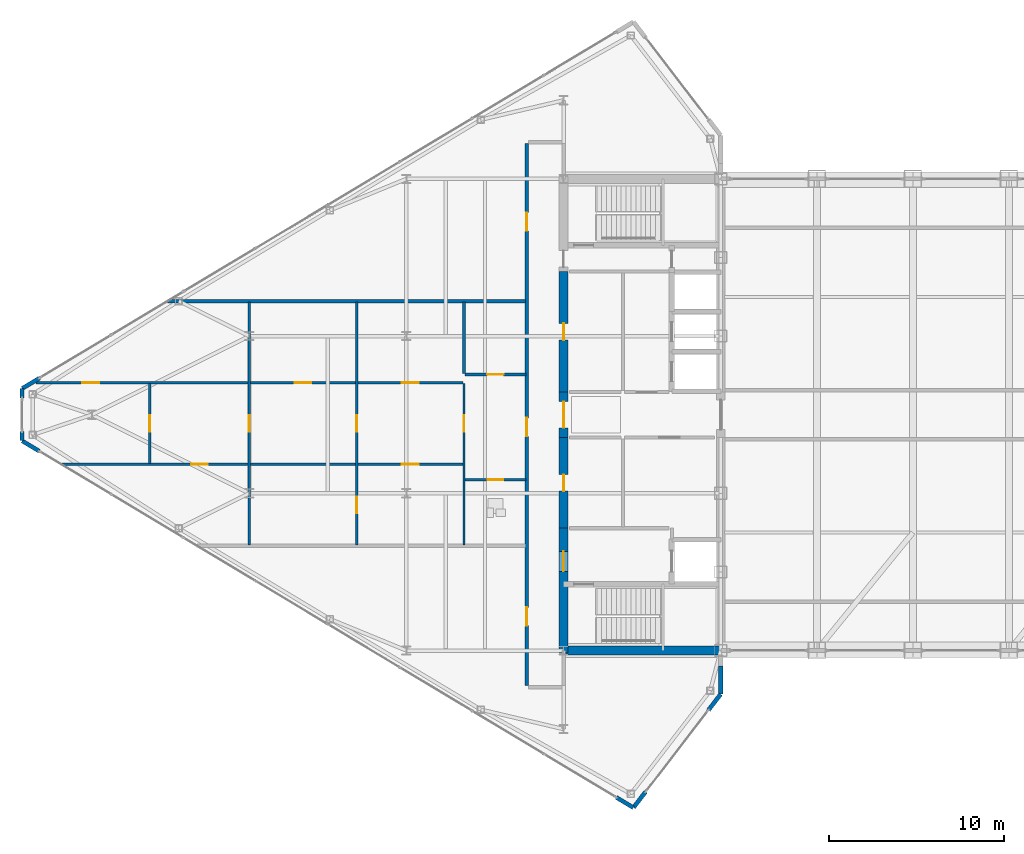
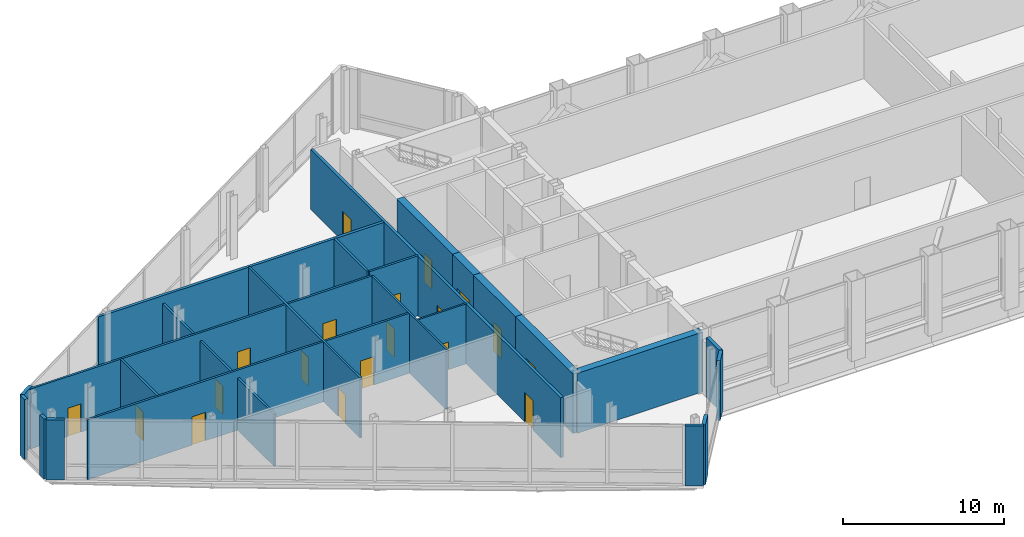
# One storey, part 22 of 29: 24 walls, 19 doors, 19 openings.
"""IFC4 building model written with IfcOpenShell, lengths in metres."""

import ifcopenshell
import ifcopenshell.guid

model = None  # the IFC model being written
_history = None  # IfcOwnerHistory: only IFC2X3 demands one
_inside = {}  # id of a spatial element -> (the spatial element, [elements in it])
_under = {}  # id of a project, library or spatial element -> (it, [spatial elements below it])
_declared = {}  # id of a project -> (the project, [libraries it declares])
_typed = {}  # id of a type object -> (the type object, [elements of that type])
_made_of = {}  # id of a material, layer set ... -> (it, [elements and type objects made of it])


def new_model(schema):
    """Start an empty IFC model of exactly this schema.

    Asked for "IFC4X3", IfcOpenShell would pick the latest addendum, in which some entities
    have other attributes; the version numbers below select the first issue.
    IFC2X3 requires an IfcOwnerHistory on every rooted entity: one is made here for all.
    """
    global model, _history
    if schema == "IFC4X3":
        model = ifcopenshell.file(schema_version=(4, 3, 0, 0))
    else:
        model = ifcopenshell.file(schema=schema)
    _inside.clear()
    _under.clear()
    _declared.clear()
    _typed.clear()
    _made_of.clear()
    _history = None
    if model.schema == "IFC2X3":
        org = make("IfcOrganization", Name="unknown")
        user = make(
            "IfcPersonAndOrganization",
            ThePerson=make("IfcPerson", FamilyName="unknown"),
            TheOrganization=org,
        )
        app = make(
            "IfcApplication",
            ApplicationDeveloper=org,
            Version="unknown",
            ApplicationFullName="unknown",
            ApplicationIdentifier="unknown",
        )
        _history = make(
            "IfcOwnerHistory",
            OwningUser=user,
            OwningApplication=app,
            ChangeAction="ADDED",
            CreationDate=0,
        )
    return model


def make(cls, **values):
    """One entity of the class cls with the attributes given. An attribute that is None is left unset."""
    return model.create_entity(
        cls, **{name: value for name, value in values.items() if value is not None}
    )


def rooted(cls, **values):
    """An entity with a GlobalId (a new one), such as an element, a storey or a relation."""
    return make(cls, GlobalId=ifcopenshell.guid.new(), OwnerHistory=_history, **values)


def si_unit(unit_type, name, prefix=None):
    """IfcSIUnit, for example si_unit("LENGTHUNIT", "METRE", prefix="MILLI")."""
    return make("IfcSIUnit", UnitType=unit_type, Prefix=prefix, Name=name)


def assignment(units):
    """IfcUnitAssignment: the units of a project."""
    return None if units is None else make("IfcUnitAssignment", Units=units)


def point(xyz):
    """IfcCartesianPoint."""
    return None if xyz is None else make("IfcCartesianPoint", Coordinates=xyz)


def direction(xyz):
    """IfcDirection."""
    return None if xyz is None else make("IfcDirection", DirectionRatios=xyz)


def frame(location, z_axis=None, x_axis=None):
    """IfcAxis2Placement3D, a coordinate frame: its origin and axes. An axis left out is left unset."""
    return make(
        "IfcAxis2Placement3D",
        Location=point(location),
        Axis=direction(z_axis),
        RefDirection=direction(x_axis),
    )


def frame_2d(location, x_axis=None):
    """IfcAxis2Placement2D, a coordinate frame in the plane: its origin and x axis."""
    return make(
        "IfcAxis2Placement2D", Location=point(location), RefDirection=direction(x_axis)
    )


def origin():
    """The frame at (0, 0, 0) with its axes left unset."""
    return frame((0.0, 0.0, 0.0))


def place(relative_to, where):
    """IfcLocalPlacement: puts the frame where relative to a parent placement (None: the world)."""
    return make(
        "IfcLocalPlacement", PlacementRelTo=relative_to, RelativePlacement=where
    )


def context(
    kind, dimensions, precision=None, world=None, true_north=None, identifier=None
):
    """IfcGeometricRepresentationContext, for example the 3D "Model" context."""
    return make(
        "IfcGeometricRepresentationContext",
        ContextIdentifier=identifier,
        ContextType=kind,
        CoordinateSpaceDimension=dimensions,
        Precision=precision,
        WorldCoordinateSystem=world,
        TrueNorth=true_north,
    )


def subcontext(parent, identifier, kind, view, scale=None):
    """IfcGeometricRepresentationSubContext, for example "Body" below "Model"."""
    return make(
        "IfcGeometricRepresentationSubContext",
        ContextIdentifier=identifier,
        ContextType=kind,
        ParentContext=parent,
        TargetScale=scale,
        TargetView=view,
    )


def project(units=None, contexts=None):
    """IfcProject with its units and contexts."""
    return rooted(
        "IfcProject",
        Name="project",
        RepresentationContexts=contexts,
        UnitsInContext=assignment(units),
    )


def spatial(cls, under=None, at=None, **own):
    """A site, building, storey or space (cls), placed at a placement, below another one or the project."""
    s = rooted(cls, ObjectPlacement=at, **own)
    if under is not None:
        _under.setdefault(under.id(), (under, []))[1].append(s)
    return s


def profile(cls, at=None, kind="AREA", **sizes):
    """A parametric profile (cls). Its sizes go by their IFC names, for example OverallWidth=200.0."""
    return make(cls, ProfileType=kind, Position=at, **sizes)


def rectangle(**sizes):
    """IfcRectangleProfileDef."""
    return profile("IfcRectangleProfileDef", **sizes)


def extrude(swept, where, along, depth):
    """IfcExtrudedAreaSolid: the profile swept, set in the frame where, extruded along a direction by depth."""
    return make(
        "IfcExtrudedAreaSolid",
        SweptArea=swept,
        Position=where,
        ExtrudedDirection=direction(along),
        Depth=depth,
    )


def shape(context_of_items, identifier, shape_type, items):
    """IfcShapeRepresentation: the items that make up one representation, for example the "Body"."""
    return make(
        "IfcShapeRepresentation",
        ContextOfItems=context_of_items,
        RepresentationIdentifier=identifier,
        RepresentationType=shape_type,
        Items=items,
    )


def source(mapping_origin, context_of_items, identifier, shape_type, items):
    """IfcRepresentationMap: a shape defined once, which mapped items show again and again."""
    return make(
        "IfcRepresentationMap",
        MappingOrigin=mapping_origin,
        MappedRepresentation=shape(context_of_items, identifier, shape_type, items),
    )


def transform(
    local_origin,
    x_axis=None,
    y_axis=None,
    z_axis=None,
    scale=None,
    scale2=None,
    scale3=None,
    uniform=True,
):
    """IfcCartesianTransformationOperator3D, or its non-uniform kind. x_axis, y_axis, z_axis: its Axis1, 2, 3."""
    if uniform:
        return make(
            "IfcCartesianTransformationOperator3D",
            Axis1=direction(x_axis),
            Axis2=direction(y_axis),
            LocalOrigin=point(local_origin),
            Scale=scale,
            Axis3=direction(z_axis),
        )
    return make(
        "IfcCartesianTransformationOperator3DnonUniform",
        Axis1=direction(x_axis),
        Axis2=direction(y_axis),
        LocalOrigin=point(local_origin),
        Scale=scale,
        Axis3=direction(z_axis),
        Scale2=scale2,
        Scale3=scale3,
    )


def mapped(mapping_source, mapping_target):
    """IfcMappedItem: shows the shape of a source again, moved by a transform."""
    return make(
        "IfcMappedItem", MappingSource=mapping_source, MappingTarget=mapping_target
    )


def material(Name=None, Category=None):
    """IfcMaterial."""
    return make("IfcMaterial", Name=Name, Category=Category)


def layer(
    of_material, thickness, ventilated=None, Name=None, Category=None, Priority=None
):
    """IfcMaterialLayer: one layer of a wall or slab, of a material (None: an air gap)."""
    return make(
        "IfcMaterialLayer",
        Material=of_material,
        LayerThickness=thickness,
        IsVentilated=ventilated,
        Name=Name,
        Category=Category,
        Priority=Priority,
    )


def layer_set(layers, Name=None):
    """IfcMaterialLayerSet."""
    return make("IfcMaterialLayerSet", MaterialLayers=layers, LayerSetName=Name)


def made_of(thing, what):
    """Note that an element or type object is made of a material, layer set ...; save() writes the relation."""
    if what is not None:
        _made_of.setdefault(what.id(), (what, []))[1].append(thing)
    return thing


def type_object(cls, material=None, **own):
    """A type object (cls), such as IfcWallType, which elements share."""
    return made_of(rooted(cls, **own), material)


def type_shapes(of_type, sources):
    """Give a type object the sources (RepresentationMaps) that its elements show as mapped items."""
    of_type.RepresentationMaps = sources


def element(
    cls,
    number,
    at=None,
    inside=None,
    cuts=None,
    type_object=None,
    material=None,
    context=None,
    identifier="Body",
    shape_type=None,
    held_by="IfcProductDefinitionShape",
    body=None,
    shapes=None,
    **own,
):
    """One element of the class cls, such as IfcWall. Its Tag is "e" and its number.

    at: its placement. inside: the storey or other place that contains it. cuts: it is an
    opening in that element (IfcRelVoidsElement). A single representation is given by context,
    identifier, shape_type and body (its items); several are given by shapes. held_by: the class
    of the entity that holds the representations. save() writes the other relations.
    """
    e = rooted(cls, Tag="e%d" % number, ObjectPlacement=at, **own)
    if body is not None:
        shapes = [shape(context, identifier, shape_type, body)]
    if shapes is not None:
        e.Representation = make(held_by, Representations=shapes)
    if inside is not None:
        _inside.setdefault(inside.id(), (inside, []))[1].append(e)
    if cuts is not None:
        rooted(
            "IfcRelVoidsElement", RelatingBuildingElement=cuts, RelatedOpeningElement=e
        )
    if type_object is not None:
        _typed.setdefault(type_object.id(), (type_object, []))[1].append(e)
    return made_of(e, material)


def fill(opening, filler):
    """IfcRelFillsElement: the door or window that sits in an opening."""
    return rooted(
        "IfcRelFillsElement",
        RelatingOpeningElement=opening,
        RelatedBuildingElement=filler,
    )


def aggregate(whole, parts):
    """IfcRelAggregates: a whole, such as a stair, and the parts it consists of."""
    return rooted("IfcRelAggregates", RelatingObject=whole, RelatedObjects=parts)


def save(model, path):
    """Write the relations noted so far, then the file.

    IfcRelAggregates (storeys below a building ...), IfcRelContainedInSpatialStructure (elements
    in a storey), IfcRelDefinesByType, IfcRelAssociatesMaterial and IfcRelDeclares: one each for
    every whole, place, type object, material and project.
    """
    for whole, parts in _under.values():
        aggregate(whole, parts)
    for where, things in _inside.values():
        rooted(
            "IfcRelContainedInSpatialStructure",
            RelatedElements=things,
            RelatingStructure=where,
        )
    for kind, things in _typed.values():
        rooted("IfcRelDefinesByType", RelatedObjects=things, RelatingType=kind)
    for what, things in _made_of.values():
        rooted("IfcRelAssociatesMaterial", RelatedObjects=things, RelatingMaterial=what)
    for by, libraries in _declared.values():
        rooted("IfcRelDeclares", RelatingContext=by, RelatedDefinitions=libraries)
    model.write(path)


model = new_model("IFC4")

# Units and contexts
model_context = context("Model", 3, precision=1e-05, world=origin(), true_north=direction((0.0, 1.0)))
body_context = subcontext(model_context, "Body", "Model", "MODEL_VIEW")
ifc_project = project(units=[si_unit("LENGTHUNIT", "METRE"), si_unit("AREAUNIT", "SQUARE_METRE"), si_unit("VOLUMEUNIT", "CUBIC_METRE"), si_unit("PLANEANGLEUNIT", "RADIAN"), si_unit("MASSUNIT", "GRAM", prefix="KILO")], contexts=[model_context])

# Site, building, storey
site_placement = place(None, origin())
site = spatial("IfcSite", under=ifc_project, at=site_placement, CompositionType="ELEMENT")
building_placement = place(site_placement, origin())
building = spatial("IfcBuilding", under=site, at=building_placement, Name="Seokmaru Belvedere", CompositionType="ELEMENT")
storey_placement = place(building_placement, frame((0.0, 0.0, 229.800048828125)))
storey = spatial("IfcBuildingStorey", under=building, at=storey_placement, Name="L61", CompositionType="ELEMENT", Elevation=229.800048828125)

# Wall, openings, doors
ifc_material_1 = material(Name="Fire-Rated Gypsum Shaftwall")
ifc_layer_1 = layer(ifc_material_1, 0.14990234375)
ifc_layer_set_1 = layer_set([ifc_layer_1], Name="Fire-Rated Gypsum Shaftwall")
wall_type_1 = type_object("IfcWallType", Name="Apartment Fire-Acoustic Room Partition 150", PredefinedType="PARTITIONING", material=ifc_layer_set_1)
wall_1_placement = place(storey_placement, frame((-65.31298828125, -2.830078125, 0.0), z_axis=(0.0, 0.0, 1.0), x_axis=(1.0, 0.0, 0.0)))
wall_1 = element("IfcWall", 1, at=wall_1_placement, inside=storey, type_object=wall_type_1, Name="L61 Interior Partition 006", PredefinedType="PARTITIONING", context=body_context, shape_type="SweptSolid", body=[
    extrude(rectangle(XDim=23.06298828125, YDim=0.14990234375, at=frame_2d((11.531494140625, 0.0))), origin(), (0.0, 0.0, 1.0), 4.5400390625),
])
opening_1_placement = place(wall_1_placement, frame((19.56298828125, 0.0, 0.0)))
opening_1 = element("IfcOpeningElement", 2, at=opening_1_placement, cuts=wall_1, Name="Opening D05", PredefinedType="OPENING", context=body_context, shape_type="SweptSolid", body=[
    extrude(rectangle(XDim=0.949951171875, YDim=2.14990234375, at=frame_2d((0.47509765625, 1.074951171875))), frame((0.0, 0.0849609375, 0.0), z_axis=(0.0, -1.0, 0.0), x_axis=(1.0, 0.0, 0.0)), (0.0, 0.0, 1.0), 0.169921875),
])
opening_2_placement = place(wall_1_placement, frame((7.488037109375, 0.0, 0.0)))
opening_2 = element("IfcOpeningElement", 3, at=opening_2_placement, cuts=wall_1, Name="Opening D05", PredefinedType="OPENING", context=body_context, shape_type="SweptSolid", body=[
    extrude(rectangle(XDim=0.949951171875, YDim=2.14990234375, at=frame_2d((0.47509765625, 1.074951171875))), frame((0.0, 0.0849609375, 0.0), z_axis=(0.0, -1.0, 0.0), x_axis=(1.0, 0.0, 0.0)), (0.0, 0.0, 1.0), 0.169921875),
])
ifc_material_2 = material(Name="Engineered White Oak Timber", Category="wood")
door_type_1 = type_object("IfcDoorType", Name="Apartment Interior Fire-Rated Oak Door 950x2150", OperationType="NOTDEFINED", PredefinedType="DOOR", material=ifc_material_2)
shared_shape_1 = source(origin(), body_context, "Body", "SweptSolid", [
    extrude(rectangle(XDim=0.949951171875, YDim=2.14990234375, at=frame_2d((0.47509765625, 1.074951171875))), frame((0.0, 0.02490234375, 0.0), z_axis=(0.0, -1.0, 0.0), x_axis=(1.0, 0.0, 0.0)), (0.0, 0.0, 1.0), 0.050048828125),
])
type_shapes(door_type_1, [shared_shape_1])
door_1_placement = place(opening_1_placement, origin())
door_1 = element("IfcDoor", 4, at=door_1_placement, inside=storey, type_object=door_type_1, Name="L61 Interior Door 006", OperationType="SINGLE_SWING_LEFT", OverallHeight=2.14990234375, OverallWidth=0.949951171875, PredefinedType="DOOR", context=body_context, shape_type="MappedRepresentation", body=[
    mapped(shared_shape_1, transform((0.0, 0.0, 0.0), scale=1.0)),
])
fill(opening_1, door_1)
door_2_placement = place(opening_2_placement, origin())
door_2 = element("IfcDoor", 5, at=door_2_placement, inside=storey, type_object=door_type_1, Name="L61 Interior Door 010", OperationType="SINGLE_SWING_LEFT", OverallHeight=2.14990234375, OverallWidth=0.949951171875, PredefinedType="DOOR", context=body_context, shape_type="MappedRepresentation", body=[
    mapped(shared_shape_1, transform((0.0, 0.0, 0.0), scale=1.0)),
])
fill(opening_2, door_2)

wall_2_placement = place(storey_placement, frame((-66.70703125, 1.830078125, 0.0), z_axis=(0.0, 0.0, 1.0), x_axis=(1.0, 0.0, 0.0)))
wall_2 = element("IfcWall", 6, at=wall_2_placement, inside=storey, type_object=wall_type_1, Name="L61 Interior Partition 010", PredefinedType="PARTITIONING", context=body_context, shape_type="SweptSolid", body=[
    extrude(rectangle(XDim=24.45703125, YDim=0.14990234375, at=frame_2d((12.228515625, 0.0))), origin(), (0.0, 0.0, 1.0), 4.5400390625),
])
opening_3_placement = place(wall_2_placement, frame((20.95703125, 0.0, 0.0)))
opening_3 = element("IfcOpeningElement", 7, at=opening_3_placement, cuts=wall_2, Name="Opening D05", PredefinedType="OPENING", context=body_context, shape_type="SweptSolid", body=[
    extrude(rectangle(XDim=0.949951171875, YDim=2.14990234375, at=frame_2d((0.47509765625, 1.074951171875))), frame((0.0, 0.0849609375, 0.0), z_axis=(0.0, -1.0, 0.0), x_axis=(1.0, 0.0, 0.0)), (0.0, 0.0, 1.0), 0.169921875),
])
opening_4_placement = place(wall_2_placement, frame((2.659912109375, 0.0, 0.0)))
opening_4 = element("IfcOpeningElement", 8, at=opening_4_placement, cuts=wall_2, Name="Opening D05", PredefinedType="OPENING", context=body_context, shape_type="SweptSolid", body=[
    extrude(rectangle(XDim=0.949951171875, YDim=2.14990234375, at=frame_2d((0.47509765625, 1.074951171875))), frame((0.0, 0.0849609375, 0.0), z_axis=(0.0, -1.0, 0.0), x_axis=(1.0, 0.0, 0.0)), (0.0, 0.0, 1.0), 0.169921875),
])
opening_5_placement = place(wall_2_placement, frame((14.80712890625, 0.0, 0.0)))
opening_5 = element("IfcOpeningElement", 9, at=opening_5_placement, cuts=wall_2, Name="Opening D05", PredefinedType="OPENING", context=body_context, shape_type="SweptSolid", body=[
    extrude(rectangle(XDim=0.949951171875, YDim=2.14990234375, at=frame_2d((0.47509765625, 1.074951171875))), frame((0.0, 0.0849609375, 0.0), z_axis=(0.0, -1.0, 0.0), x_axis=(1.0, 0.0, 0.0)), (0.0, 0.0, 1.0), 0.169921875),
])
door_3_placement = place(opening_3_placement, origin())
door_3 = element("IfcDoor", 10, at=door_3_placement, inside=storey, type_object=door_type_1, Name="L61 Interior Door 008", OperationType="SINGLE_SWING_RIGHT", OverallHeight=2.14990234375, OverallWidth=0.949951171875, PredefinedType="DOOR", context=body_context, shape_type="MappedRepresentation", body=[
    mapped(shared_shape_1, transform((0.0, 0.0, 0.0), scale=1.0)),
])
fill(opening_3, door_3)
door_4_placement = place(opening_4_placement, origin())
door_4 = element("IfcDoor", 11, at=door_4_placement, inside=storey, type_object=door_type_1, Name="L61 Interior Door 012", OperationType="SINGLE_SWING_LEFT", OverallHeight=2.14990234375, OverallWidth=0.949951171875, PredefinedType="DOOR", context=body_context, shape_type="MappedRepresentation", body=[
    mapped(shared_shape_1, transform((0.0, 0.0, 0.0), scale=1.0)),
])
fill(opening_4, door_4)
door_5_placement = place(opening_5_placement, origin())
door_5 = element("IfcDoor", 12, at=door_5_placement, inside=storey, type_object=door_type_1, Name="L61 Interior Door 014", OperationType="SINGLE_SWING_RIGHT", OverallHeight=2.14990234375, OverallWidth=0.949951171875, PredefinedType="DOOR", context=body_context, shape_type="MappedRepresentation", body=[
    mapped(shared_shape_1, transform((0.0, 0.0, 0.0), scale=1.0)),
])
fill(opening_5, door_5)

# Wall, opening, door
wall_3_placement = place(storey_placement, frame((-42.14990234375, 2.300048828125, 0.0), z_axis=(0.0, 0.0, 1.0), x_axis=(1.0, 0.0, 0.0)))
wall_3 = element("IfcWall", 13, at=wall_3_placement, inside=storey, type_object=wall_type_1, Name="L61 Interior Partition 011", PredefinedType="PARTITIONING", context=body_context, shape_type="SweptSolid", body=[
    extrude(rectangle(XDim=3.5, YDim=0.14990234375, at=frame_2d((1.75, 0.0))), origin(), (0.0, 0.0, 1.0), 4.5400390625),
])
opening_6_placement = place(wall_3_placement, frame((1.27490234375, 0.0, 0.0)))
opening_6 = element("IfcOpeningElement", 14, at=opening_6_placement, cuts=wall_3, Name="Opening D05", PredefinedType="OPENING", context=body_context, shape_type="SweptSolid", body=[
    extrude(rectangle(XDim=0.949951171875, YDim=2.14990234375, at=frame_2d((0.47509765625, 1.074951171875))), frame((0.0, 0.0849609375, 0.0), z_axis=(0.0, -1.0, 0.0), x_axis=(1.0, 0.0, 0.0)), (0.0, 0.0, 1.0), 0.169921875),
])
door_6_placement = place(opening_6_placement, origin())
door_6 = element("IfcDoor", 15, at=door_6_placement, inside=storey, type_object=door_type_1, Name="L61 Interior Door 004", OperationType="SINGLE_SWING_LEFT", OverallHeight=2.14990234375, OverallWidth=0.949951171875, PredefinedType="DOOR", context=body_context, shape_type="MappedRepresentation", body=[
    mapped(shared_shape_1, transform((0.0, 0.0, 0.0), scale=1.0)),
])
fill(opening_6, door_6)

wall_4_placement = place(storey_placement, frame((-60.199951171875, -2.782958984375, 0.0), z_axis=(0.0, 0.0, 1.0), x_axis=(0.0, 1.0, 0.0)))
wall_4 = element("IfcWall", 16, at=wall_4_placement, inside=storey, type_object=wall_type_1, Name="L61 Interior Partition 017", PredefinedType="PARTITIONING", context=body_context, shape_type="SweptSolid", body=[
    extrude(rectangle(XDim=4.56591796875, YDim=0.14990234375, at=frame_2d((2.282958984375, 0.0))), origin(), (0.0, 0.0, 1.0), 4.5400390625),
])
opening_7_placement = place(wall_4_placement, frame((1.80810546875, 0.0, 0.0)))
opening_7 = element("IfcOpeningElement", 17, at=opening_7_placement, cuts=wall_4, Name="Opening D05", PredefinedType="OPENING", context=body_context, shape_type="SweptSolid", body=[
    extrude(rectangle(XDim=0.949951171875, YDim=2.14990234375, at=frame_2d((0.47509765625, 1.074951171875))), frame((0.0, 0.0849609375, 0.0), z_axis=(0.0, -1.0, 0.0), x_axis=(1.0, 0.0, 0.0)), (0.0, 0.0, 1.0), 0.169921875),
])
door_7_placement = place(opening_7_placement, origin())
door_7 = element("IfcDoor", 18, at=door_7_placement, inside=storey, type_object=door_type_1, Name="L61 Interior Door 011", OperationType="SINGLE_SWING_RIGHT", OverallHeight=2.14990234375, OverallWidth=0.949951171875, PredefinedType="DOOR", context=body_context, shape_type="MappedRepresentation", body=[
    mapped(shared_shape_1, transform((0.0, 0.0, 0.0), scale=1.0)),
])
fill(opening_7, door_7)

wall_5_placement = place(storey_placement, frame((-54.5, -7.449951171875, 0.0), z_axis=(0.0, 0.0, 1.0), x_axis=(0.0, 1.0, 0.0)))
wall_5 = element("IfcWall", 19, at=wall_5_placement, inside=storey, type_object=wall_type_1, Name="L61 Interior Partition 018", PredefinedType="PARTITIONING", context=body_context, shape_type="SweptSolid", body=[
    extrude(rectangle(XDim=13.89990234375, YDim=0.14990234375, at=frame_2d((6.949951171875, 0.0))), origin(), (0.0, 0.0, 1.0), 3.93994140625),
])
opening_8_placement = place(wall_5_placement, frame((6.47509765625, 0.0, 0.0)))
opening_8 = element("IfcOpeningElement", 20, at=opening_8_placement, cuts=wall_5, Name="Opening D05", PredefinedType="OPENING", context=body_context, shape_type="SweptSolid", body=[
    extrude(rectangle(XDim=0.949951171875, YDim=2.14990234375, at=frame_2d((0.47509765625, 1.074951171875))), frame((0.0, 0.0849609375, 0.0), z_axis=(0.0, -1.0, 0.0), x_axis=(1.0, 0.0, 0.0)), (0.0, 0.0, 1.0), 0.169921875),
])
door_8_placement = place(opening_8_placement, origin())
door_8 = element("IfcDoor", 21, at=door_8_placement, inside=storey, type_object=door_type_1, Name="L61 Interior Door 009", OperationType="SINGLE_SWING_LEFT", OverallHeight=2.14990234375, OverallWidth=0.949951171875, PredefinedType="DOOR", context=body_context, shape_type="MappedRepresentation", body=[
    mapped(shared_shape_1, transform((0.0, 0.0, 0.0), scale=1.0)),
])
fill(opening_8, door_8)

# Wall, openings, doors
wall_6_placement = place(storey_placement, frame((-48.35009765625, -7.449951171875, 0.0), z_axis=(0.0, 0.0, 1.0), x_axis=(0.0, 1.0, 0.0)))
wall_6 = element("IfcWall", 22, at=wall_6_placement, inside=storey, type_object=wall_type_1, Name="L61 Interior Partition 019", PredefinedType="PARTITIONING", context=body_context, shape_type="SweptSolid", body=[
    extrude(rectangle(XDim=13.89990234375, YDim=0.14990234375, at=frame_2d((6.949951171875, 0.0))), origin(), (0.0, 0.0, 1.0), 4.5400390625),
])
opening_9_placement = place(wall_6_placement, frame((6.47509765625, 0.0, 0.0)))
opening_9 = element("IfcOpeningElement", 23, at=opening_9_placement, cuts=wall_6, Name="Opening D05", PredefinedType="OPENING", context=body_context, shape_type="SweptSolid", body=[
    extrude(rectangle(XDim=0.949951171875, YDim=2.14990234375, at=frame_2d((0.47509765625, 1.074951171875))), frame((0.0, 0.0849609375, 0.0), z_axis=(0.0, -1.0, 0.0), x_axis=(1.0, 0.0, 0.0)), (0.0, 0.0, 1.0), 0.169921875),
])
opening_10_placement = place(wall_6_placement, frame((1.808349609375, 0.0, 0.0)))
opening_10 = element("IfcOpeningElement", 24, at=opening_10_placement, cuts=wall_6, Name="Opening D05", PredefinedType="OPENING", context=body_context, shape_type="SweptSolid", body=[
    extrude(rectangle(XDim=0.949951171875, YDim=2.14990234375, at=frame_2d((0.47509765625, 1.074951171875))), frame((0.0, 0.0849609375, 0.0), z_axis=(0.0, -1.0, 0.0), x_axis=(1.0, 0.0, 0.0)), (0.0, 0.0, 1.0), 0.169921875),
])
door_9_placement = place(opening_9_placement, origin())
door_9 = element("IfcDoor", 25, at=door_9_placement, inside=storey, type_object=door_type_1, Name="L61 Interior Door 007", OperationType="SINGLE_SWING_RIGHT", OverallHeight=2.14990234375, OverallWidth=0.949951171875, PredefinedType="DOOR", context=body_context, shape_type="MappedRepresentation", body=[
    mapped(shared_shape_1, transform((0.0, 0.0, 0.0), scale=1.0)),
])
fill(opening_9, door_9)
door_10_placement = place(opening_10_placement, origin())
door_10 = element("IfcDoor", 26, at=door_10_placement, inside=storey, type_object=door_type_1, Name="L61 Interior Door 013", OperationType="SINGLE_SWING_RIGHT", OverallHeight=2.14990234375, OverallWidth=0.949951171875, PredefinedType="DOOR", context=body_context, shape_type="MappedRepresentation", body=[
    mapped(shared_shape_1, transform((0.0, 0.0, 0.0), scale=1.0)),
])
fill(opening_10, door_10)

# Walls
wall_7_placement = place(storey_placement, frame((-42.199951171875, 2.35205078125, 0.0), z_axis=(0.0, 0.0, 1.0), x_axis=(0.0, 1.0, 0.0)))
element("IfcWall", 27, at=wall_7_placement, inside=storey, type_object=wall_type_1, Name="L61 Interior Partition 021", PredefinedType="PARTITIONING", context=body_context, shape_type="SweptSolid", body=[
    extrude(rectangle(XDim=4.097900390625, YDim=0.14990234375, at=frame_2d((2.048828125, 0.0))), origin(), (0.0, 0.0, 1.0), 4.5400390625),
])
ifc_layer_2 = layer(ifc_material_1, 0.199951171875)
ifc_layer_set_2 = layer_set([ifc_layer_2], Name="Fire-Rated Gypsum Shaftwall")
wall_type_2 = type_object("IfcWallType", Name="Inter-Tenancy Fire Compartment Partition 200", PredefinedType="PARTITIONING", material=ifc_layer_set_2)
wall_8_placement = place(storey_placement, frame((-59.176025390625, 6.5, 0.0), z_axis=(0.0, 0.0, 1.0), x_axis=(1.0, 0.0, 0.0)))
element("IfcWall", 28, at=wall_8_placement, inside=storey, type_object=wall_type_2, Name="L61 Interior Partition 013", PredefinedType="PARTITIONING", context=body_context, shape_type="SweptSolid", body=[
    extrude(rectangle(XDim=20.49609375, YDim=0.199951171875, at=frame_2d((10.248046875, 0.0))), origin(), (0.0, 0.0, 1.0), 4.5400390625),
])

# Wall, openings, doors
wall_9_placement = place(storey_placement, frame((-38.60009765625, -15.514892578125, 0.0), z_axis=(0.0, 0.0, 1.0), x_axis=(0.0, 1.0, 0.0)))
wall_9 = element("IfcWall", 29, at=wall_9_placement, inside=storey, type_object=wall_type_2, Name="L61 Interior Partition 022", PredefinedType="PARTITIONING", context=body_context, shape_type="SweptSolid", body=[
    extrude(rectangle(XDim=31.02978515625, YDim=0.199951171875, at=frame_2d((15.514892578125, 0.0))), origin(), (0.0, 0.0, 1.0), 4.5400390625),
])
opening_11_placement = place(wall_9_placement, frame((3.43994140625, 0.0, 0.0)))
opening_11 = element("IfcOpeningElement", 30, at=opening_11_placement, cuts=wall_9, Name="Opening D03", PredefinedType="OPENING", context=body_context, shape_type="SweptSolid", body=[
    extrude(rectangle(XDim=1.050048828125, YDim=2.25, at=frame_2d((0.52490234375, 1.125))), frame((0.0, 0.10986328125, 0.0), z_axis=(0.0, -1.0, 0.0), x_axis=(1.0, 0.0, 0.0)), (0.0, 0.0, 1.0), 0.219970703125),
])
opening_12_placement = place(wall_9_placement, frame((14.280029296875, 0.0, 0.0)))
opening_12 = element("IfcOpeningElement", 31, at=opening_12_placement, cuts=wall_9, Name="Opening D03", PredefinedType="OPENING", context=body_context, shape_type="SweptSolid", body=[
    extrude(rectangle(XDim=1.050048828125, YDim=2.25, at=frame_2d((0.52490234375, 1.125))), frame((0.0, 0.10986328125, 0.0), z_axis=(0.0, -1.0, 0.0), x_axis=(1.0, 0.0, 0.0)), (0.0, 0.0, 1.0), 0.219970703125),
])
opening_13_placement = place(wall_9_placement, frame((26.0400390625, 0.0, 0.0)))
opening_13 = element("IfcOpeningElement", 32, at=opening_13_placement, cuts=wall_9, Name="Opening D03", PredefinedType="OPENING", context=body_context, shape_type="SweptSolid", body=[
    extrude(rectangle(XDim=1.050048828125, YDim=2.25, at=frame_2d((0.52490234375, 1.125))), frame((0.0, 0.10986328125, 0.0), z_axis=(0.0, -1.0, 0.0), x_axis=(1.0, 0.0, 0.0)), (0.0, 0.0, 1.0), 0.219970703125),
])
ifc_material_3 = material(Name="Fire-Rated Steel Leaf", Category="steel")
door_type_2 = type_object("IfcDoorType", Name="Apartment Entrance Fire Door 1050x2250", OperationType="NOTDEFINED", PredefinedType="DOOR", material=ifc_material_3)
shared_shape_2 = source(origin(), body_context, "Body", "SweptSolid", [
    extrude(rectangle(XDim=1.050048828125, YDim=2.25, at=frame_2d((0.52490234375, 1.125))), frame((0.0, 0.02490234375, 0.0), z_axis=(0.0, -1.0, 0.0), x_axis=(1.0, 0.0, 0.0)), (0.0, 0.0, 1.0), 0.050048828125),
])
type_shapes(door_type_2, [shared_shape_2])
door_11_placement = place(opening_11_placement, origin())
door_11 = element("IfcDoor", 33, at=door_11_placement, inside=storey, type_object=door_type_2, Name="L61 Interior Door 001", OperationType="SINGLE_SWING_RIGHT", OverallHeight=2.25, OverallWidth=1.050048828125, PredefinedType="DOOR", context=body_context, shape_type="MappedRepresentation", body=[
    mapped(shared_shape_2, transform((0.0, 0.0, 0.0), scale=1.0)),
])
fill(opening_11, door_11)
door_12_placement = place(opening_12_placement, origin())
door_12 = element("IfcDoor", 34, at=door_12_placement, inside=storey, type_object=door_type_2, Name="L61 Interior Door 002", OperationType="SINGLE_SWING_LEFT", OverallHeight=2.25, OverallWidth=1.050048828125, PredefinedType="DOOR", context=body_context, shape_type="MappedRepresentation", body=[
    mapped(shared_shape_2, transform((0.0, 0.0, 0.0), scale=1.0)),
])
fill(opening_12, door_12)
door_13_placement = place(opening_13_placement, origin())
door_13 = element("IfcDoor", 35, at=door_13_placement, inside=storey, type_object=door_type_2, Name="L61 Interior Door 015", OperationType="SINGLE_SWING_RIGHT", OverallHeight=2.25, OverallWidth=1.050048828125, PredefinedType="DOOR", context=body_context, shape_type="MappedRepresentation", body=[
    mapped(shared_shape_2, transform((0.0, 0.0, 0.0), scale=1.0)),
])
fill(opening_13, door_13)

# Wall, opening, door
ifc_layer_3 = layer(ifc_material_1, 0.1298828125)
ifc_layer_set_3 = layer_set([ifc_layer_3], Name="Fire-Rated Gypsum Shaftwall")
wall_type_3 = type_object("IfcWallType", Name="Moisture-Resistant Fire-Rated Bathroom Partition 130", PredefinedType="PARTITIONING", material=ifc_layer_set_3)
wall_10_placement = place(storey_placement, frame((-42.14990234375, -3.719970703125, 0.0), z_axis=(0.0, 0.0, 1.0), x_axis=(1.0, 0.0, 0.0)))
wall_10 = element("IfcWall", 36, at=wall_10_placement, inside=storey, type_object=wall_type_3, Name="L61 Interior Partition 005", PredefinedType="PARTITIONING", context=body_context, shape_type="SweptSolid", body=[
    extrude(rectangle(XDim=3.5, YDim=0.1298828125, at=frame_2d((1.75, 0.0))), origin(), (0.0, 0.0, 1.0), 4.5400390625),
])
opening_14_placement = place(wall_10_placement, frame((1.31005859375, 0.0, 0.0)))
opening_14 = element("IfcOpeningElement", 37, at=opening_14_placement, cuts=wall_10, Name="Opening D06", PredefinedType="OPENING", context=body_context, shape_type="SweptSolid", body=[
    extrude(rectangle(XDim=0.8798828125, YDim=2.10009765625, at=frame_2d((0.43994140625, 1.050048828125))), frame((0.0, 0.074951171875, 0.0), z_axis=(0.0, -1.0, 0.0), x_axis=(1.0, 0.0, 0.0)), (0.0, 0.0, 1.0), 0.14990234375),
])
door_type_3 = type_object("IfcDoorType", Name="Bathroom and Restroom Fire-Rated Door 880x2100", OperationType="NOTDEFINED", PredefinedType="DOOR", material=ifc_material_2)
shared_shape_3 = source(origin(), body_context, "Body", "SweptSolid", [
    extrude(rectangle(XDim=0.8798828125, YDim=2.10009765625, at=frame_2d((0.43994140625, 1.050048828125))), frame((0.0, 0.02490234375, 0.0), z_axis=(0.0, -1.0, 0.0), x_axis=(1.0, 0.0, 0.0)), (0.0, 0.0, 1.0), 0.050048828125),
])
type_shapes(door_type_3, [shared_shape_3])
door_14_placement = place(opening_14_placement, origin())
door_14 = element("IfcDoor", 38, at=door_14_placement, inside=storey, type_object=door_type_3, Name="L61 Interior Door 003", OperationType="SINGLE_SWING_LEFT", OverallHeight=2.10009765625, OverallWidth=0.8798828125, PredefinedType="DOOR", context=body_context, shape_type="MappedRepresentation", body=[
    mapped(shared_shape_3, transform((0.0, 0.0, 0.0), scale=1.0)),
])
fill(opening_14, door_14)

wall_11_placement = place(storey_placement, frame((-42.199951171875, -7.449951171875, 0.0), z_axis=(0.0, 0.0, 1.0), x_axis=(0.0, 1.0, 0.0)))
wall_11 = element("IfcWall", 39, at=wall_11_placement, inside=storey, type_object=wall_type_3, Name="L61 Interior Partition 020", PredefinedType="PARTITIONING", context=body_context, shape_type="SweptSolid", body=[
    extrude(rectangle(XDim=9.23291015625, YDim=0.1298828125, at=frame_2d((4.616455078125, 0.0))), origin(), (0.0, 0.0, 1.0), 4.5400390625),
])
opening_15_placement = place(wall_11_placement, frame((6.47509765625, 0.0, 0.0)))
opening_15 = element("IfcOpeningElement", 40, at=opening_15_placement, cuts=wall_11, Name="Opening D05", PredefinedType="OPENING", context=body_context, shape_type="SweptSolid", body=[
    extrude(rectangle(XDim=0.949951171875, YDim=2.14990234375, at=frame_2d((0.47509765625, 1.074951171875))), frame((0.0, 0.074951171875, 0.0), z_axis=(0.0, -1.0, 0.0), x_axis=(1.0, 0.0, 0.0)), (0.0, 0.0, 1.0), 0.14990234375),
])
door_15_placement = place(opening_15_placement, origin())
door_15 = element("IfcDoor", 41, at=door_15_placement, inside=storey, type_object=door_type_1, Name="L61 Interior Door 005", OperationType="SINGLE_SWING_RIGHT", OverallHeight=2.14990234375, OverallWidth=0.949951171875, PredefinedType="DOOR", context=body_context, shape_type="MappedRepresentation", body=[
    mapped(shared_shape_1, transform((0.0, 0.0, 0.0), scale=1.0)),
])
fill(opening_15, door_15)

# Walls
ifc_material_4 = material(Name="Anodised Bronze Aluminium", Category="aluminium")
ifc_layer_4 = layer(ifc_material_4, 0.239990234375)
ifc_layer_set_4 = layer_set([ifc_layer_4], Name="Anodised Bronze Aluminium")
wall_type_4 = type_object("IfcWallType", Name="Tower Corner Spandrel Closure Wall 240", PredefinedType="SOLIDWALL", material=ifc_layer_set_4)
wall_12_placement = place(storey_placement, frame((-27.5, -15.97998046875, 0.0), z_axis=(0.0, 0.0, 1.0), x_axis=(0.0, 1.0, 0.0)))
element("IfcWall", 42, at=wall_12_placement, inside=storey, type_object=wall_type_4, Name="L61 W Shoulder Closure Wall 1", PredefinedType="SOLIDWALL", context=body_context, shape_type="SweptSolid", body=[
    extrude(rectangle(XDim=1.605224609375, YDim=0.239990234375, at=frame_2d((0.802734375, 0.0))), origin(), (0.0, 0.0, 1.0), 4.5400390625),
])
wall_13_placement = place(storey_placement, frame((-66.513916015625, 2.091796875, 0.0), z_axis=(0.0, 0.0, 1.0), x_axis=(-0.85743623509, -0.514590228002, 0.0)))
element("IfcWall", 43, at=wall_13_placement, inside=storey, type_object=wall_type_4, Name="L61 W Corner Closure Pier 3B", PredefinedType="SOLIDWALL", context=body_context, shape_type="SweptSolid", body=[
    extrude(rectangle(XDim=1.14013671875, YDim=0.239990234375, at=frame_2d((0.570068359375, 0.0))), origin(), (0.0, 0.0, 1.0), 4.5400390625),
])
for number, where, z_axis, x_axis, name in (
    (44, (-67.5, 1.489990234375, 0.0), (0.0, 0.0, 1.0), (0.0, -1.0, 0.0), "L61 W Apex Closure Pier 4A"),
    (45, (-67.5, -0.949951171875, 0.0), (0.0, 0.0, 1.0), (0.0, -1.0, 0.0), "L61 W Apex Closure Pier 4B"),
):
    element("IfcWall", number, at=place(storey_placement, frame(where, z_axis=z_axis, x_axis=x_axis)), inside=storey, type_object=wall_type_4, Name=name, PredefinedType="SOLIDWALL", context=body_context, shape_type="SweptSolid", body=[
        extrude(rectangle(XDim=0.5400390625, YDim=0.239990234375, at=frame_2d((0.27001953125, 0.0))), origin(), (0.0, 0.0, 1.0), 4.5400390625),
    ])
for number, where, z_axis, x_axis, name in (
    (46, (-67.491455078125, -1.505126953125, 0.0), (0.0, 0.0, 1.0), (0.85743623509, -0.514590228002, 0.0), "L61 W Corner Closure Pier 5A"),
    (47, (-33.486083984375, -21.908203125, 0.0), (0.0, 0.0, 1.0), (0.85743623509, -0.514590228002, 0.0), "L61 W Corner Closure Pier 5B"),
    (48, (-32.493896484375, -22.4921875, 0.0), (0.0, 0.0, 1.0), (0.609617623633, 0.792695624408, 0.0), "L61 W Corner Closure Pier 6A"),
    (49, (-28.201171875, -16.91162109375, 0.0), (0.0, 0.0, 1.0), (0.609617623633, 0.792695624408, 0.0), "L61 W Corner Closure Pier 6B"),
):
    element("IfcWall", number, at=place(storey_placement, frame(where, z_axis=z_axis, x_axis=x_axis)), inside=storey, type_object=wall_type_4, Name=name, PredefinedType="SOLIDWALL", context=body_context, shape_type="SweptSolid", body=[
        extrude(rectangle(XDim=1.14013671875, YDim=0.239990234375, at=frame_2d((0.570068359375, 0.0))), origin(), (0.0, 0.0, 1.0), 4.5400390625),
    ])
ifc_material_5 = material(Name="Concrete C50 (50 MPa)", Category="concrete")
ifc_layer_5 = layer(ifc_material_5, 0.5)
ifc_layer_set_5 = layer_set([ifc_layer_5], Name="Concrete C50 (50 MPa)")
wall_type_5 = type_object("IfcWallType", Name="Upper Tower Reinforced Concrete Core Wall 500", PredefinedType="SHEAR", material=ifc_layer_set_5)
wall_14_placement = place(storey_placement, frame((-36.5, -13.5, 0.0), z_axis=(0.0, 0.0, 1.0), x_axis=(1.0, 0.0, 0.0)))
element("IfcWall", 50, at=wall_14_placement, inside=storey, type_object=wall_type_5, Name="L61 West South Core Wall", PredefinedType="SHEAR", context=body_context, shape_type="SweptSolid", body=[
    extrude(rectangle(XDim=9.0, YDim=0.5, at=frame_2d((4.5, 0.0))), origin(), (0.0, 0.0, 1.0), 4.5400390625),
])

# Wall, opening, door
wall_15_placement = place(storey_placement, frame((-36.5, -13.64990234375, 0.0), z_axis=(0.0, 0.0, 1.0), x_axis=(0.0, 1.0, 0.0)))
wall_15 = element("IfcWall", 51, at=wall_15_placement, inside=storey, type_object=wall_type_5, Name="L61 West West Core Wall FF", PredefinedType="SHEAR", context=body_context, shape_type="SweptSolid", body=[
    extrude(rectangle(XDim=7.14990234375, YDim=0.5, at=frame_2d((3.574951171875, 0.0))), origin(), (0.0, 0.0, 1.0), 4.5400390625),
])
opening_16_placement = place(wall_15_placement, frame((4.675048828125, 0.0, 0.0)))
opening_16 = element("IfcOpeningElement", 52, at=opening_16_placement, cuts=wall_15, Name="Opening D02", PredefinedType="OPENING", context=body_context, shape_type="SweptSolid", body=[
    extrude(rectangle(XDim=1.14990234375, YDim=2.199951171875, at=frame_2d((0.574951171875, 1.10009765625))), frame((0.0, 0.260009765625, 0.0), z_axis=(0.0, -1.0, 0.0), x_axis=(1.0, 0.0, 0.0)), (0.0, 0.0, 1.0), 0.52001953125),
])
door_type_4 = type_object("IfcDoorType", Name="Lobby and Vestibule Fire Door 1150x2200", OperationType="NOTDEFINED", PredefinedType="DOOR", material=ifc_material_3)
shared_shape_4 = source(origin(), body_context, "Body", "SweptSolid", [
    extrude(rectangle(XDim=1.14990234375, YDim=2.199951171875, at=frame_2d((0.574951171875, 1.10009765625))), frame((0.0, 0.02490234375, 0.0), z_axis=(0.0, -1.0, 0.0), x_axis=(1.0, 0.0, 0.0)), (0.0, 0.0, 1.0), 0.050048828125),
])
type_shapes(door_type_4, [shared_shape_4])
door_16_placement = place(opening_16_placement, frame((1.14990234375, 0.0, 0.0), z_axis=(0.0, 0.0, 1.0), x_axis=(-1.0, 0.0, 0.0)))
door_16 = element("IfcDoor", 53, at=door_16_placement, inside=storey, type_object=door_type_4, Name="L61 West Firefighting Lobby Door", OperationType="SINGLE_SWING_LEFT", OverallHeight=2.199951171875, OverallWidth=1.14990234375, PredefinedType="DOOR", context=body_context, shape_type="MappedRepresentation", body=[
    mapped(shared_shape_4, transform((0.0, 0.0, 0.0), scale=1.0)),
])
fill(opening_16, door_16)

wall_16_placement = place(storey_placement, frame((-36.5, -1.300048828125, 0.0), z_axis=(0.0, 0.0, 1.0), x_axis=(0.0, 1.0, 0.0)))
wall_16 = element("IfcWall", 54, at=wall_16_placement, inside=storey, type_object=wall_type_5, Name="L61 West West Core Wall FOY", PredefinedType="SHEAR", context=body_context, shape_type="SweptSolid", body=[
    extrude(rectangle(XDim=2.60009765625, YDim=0.5, at=frame_2d((1.300048828125, 0.0))), origin(), (0.0, 0.0, 1.0), 4.5400390625),
])
opening_17_placement = place(wall_16_placement, frame((0.550048828125, 0.0, 0.0)))
opening_17 = element("IfcOpeningElement", 55, at=opening_17_placement, cuts=wall_16, Name="Opening D08", PredefinedType="OPENING", context=body_context, shape_type="SweptSolid", body=[
    extrude(rectangle(XDim=1.5, YDim=2.300048828125, at=frame_2d((0.75, 1.14990234375))), frame((0.0, 0.260009765625, 0.0), z_axis=(0.0, -1.0, 0.0), x_axis=(1.0, 0.0, 0.0)), (0.0, 0.0, 1.0), 0.52001953125),
])
door_type_5 = type_object("IfcDoorType", Name="Cross-Corridor Compartment Double Fire Door 1500x2300", OperationType="DOUBLE_SWING_LEFT", PredefinedType="DOOR", material=ifc_material_3)
shared_shape_5 = source(origin(), body_context, "Body", "SweptSolid", [
    extrude(rectangle(XDim=1.5, YDim=2.300048828125, at=frame_2d((0.75, 1.14990234375))), frame((0.0, 0.02490234375, 0.0), z_axis=(0.0, -1.0, 0.0), x_axis=(1.0, 0.0, 0.0)), (0.0, 0.0, 1.0), 0.050048828125),
])
type_shapes(door_type_5, [shared_shape_5])
door_17_placement = place(opening_17_placement, origin())
door_17 = element("IfcDoor", 56, at=door_17_placement, inside=storey, type_object=door_type_5, Name="L61 West Core Foyer Compartment Door", OperationType="DOUBLE_SWING_LEFT", OverallHeight=2.300048828125, OverallWidth=1.5, PredefinedType="DOOR", context=body_context, shape_type="MappedRepresentation", body=[
    mapped(shared_shape_5, transform((0.0, 0.0, 0.0), scale=1.0)),
])
fill(opening_17, door_17)

wall_17_placement = place(storey_placement, frame((-36.5, -6.5, 0.0), z_axis=(0.0, 0.0, 1.0), x_axis=(0.0, 1.0, 0.0)))
wall_17 = element("IfcWall", 57, at=wall_17_placement, inside=storey, type_object=wall_type_5, Name="L61 West West Core Wall CS1", PredefinedType="SHEAR", context=body_context, shape_type="SweptSolid", body=[
    extrude(rectangle(XDim=5.199951171875, YDim=0.5, at=frame_2d((2.60009765625, 0.0))), origin(), (0.0, 0.0, 1.0), 4.5400390625),
])
opening_18_placement = place(wall_17_placement, frame((2.125, 0.0, 0.0)))
opening_18 = element("IfcOpeningElement", 58, at=opening_18_placement, cuts=wall_17, Name="Opening D04", PredefinedType="OPENING", context=body_context, shape_type="SweptSolid", body=[
    extrude(rectangle(XDim=0.949951171875, YDim=2.14990234375, at=frame_2d((0.47509765625, 1.074951171875))), frame((0.0, 0.260009765625, 0.0), z_axis=(0.0, -1.0, 0.0), x_axis=(1.0, 0.0, 0.0)), (0.0, 0.0, 1.0), 0.52001953125),
])
door_type_6 = type_object("IfcDoorType", Name="Core Service Room Fire Door 950x2150", OperationType="NOTDEFINED", PredefinedType="DOOR", material=ifc_material_3)
shared_shape_6 = source(origin(), body_context, "Body", "SweptSolid", [
    extrude(rectangle(XDim=0.949951171875, YDim=2.14990234375, at=frame_2d((0.47509765625, 1.074951171875))), frame((0.0, 0.02490234375, 0.0), z_axis=(0.0, -1.0, 0.0), x_axis=(1.0, 0.0, 0.0)), (0.0, 0.0, 1.0), 0.050048828125),
])
type_shapes(door_type_6, [shared_shape_6])
door_18_placement = place(opening_18_placement, origin())
door_18 = element("IfcDoor", 59, at=door_18_placement, inside=storey, type_object=door_type_6, Name="L61 West Core Service Room Door 1", OperationType="SINGLE_SWING_LEFT", OverallHeight=2.14990234375, OverallWidth=0.949951171875, PredefinedType="DOOR", context=body_context, shape_type="MappedRepresentation", body=[
    mapped(shared_shape_6, transform((0.0, 0.0, 0.0), scale=1.0)),
])
fill(opening_18, door_18)

wall_18_placement = place(storey_placement, frame((-36.5, 1.300048828125, 0.0), z_axis=(0.0, 0.0, 1.0), x_axis=(0.0, 1.0, 0.0)))
wall_18 = element("IfcWall", 60, at=wall_18_placement, inside=storey, type_object=wall_type_5, Name="L61 West West Core Wall CS2", PredefinedType="SHEAR", context=body_context, shape_type="SweptSolid", body=[
    extrude(rectangle(XDim=6.89990234375, YDim=0.5, at=frame_2d((3.449951171875, 0.0))), origin(), (0.0, 0.0, 1.0), 4.5400390625),
])
opening_19_placement = place(wall_18_placement, frame((2.97509765625, 0.0, 0.0)))
opening_19 = element("IfcOpeningElement", 61, at=opening_19_placement, cuts=wall_18, Name="Opening D04", PredefinedType="OPENING", context=body_context, shape_type="SweptSolid", body=[
    extrude(rectangle(XDim=0.949951171875, YDim=2.14990234375, at=frame_2d((0.47509765625, 1.074951171875))), frame((0.0, 0.260009765625, 0.0), z_axis=(0.0, -1.0, 0.0), x_axis=(1.0, 0.0, 0.0)), (0.0, 0.0, 1.0), 0.52001953125),
])
door_19_placement = place(opening_19_placement, origin())
door_19 = element("IfcDoor", 62, at=door_19_placement, inside=storey, type_object=door_type_6, Name="L61 West Core Service Room Door 2", OperationType="SINGLE_SWING_RIGHT", OverallHeight=2.14990234375, OverallWidth=0.949951171875, PredefinedType="DOOR", context=body_context, shape_type="MappedRepresentation", body=[
    mapped(shared_shape_6, transform((0.0, 0.0, 0.0), scale=1.0)),
])
fill(opening_19, door_19)

save(model, "model.ifc")
